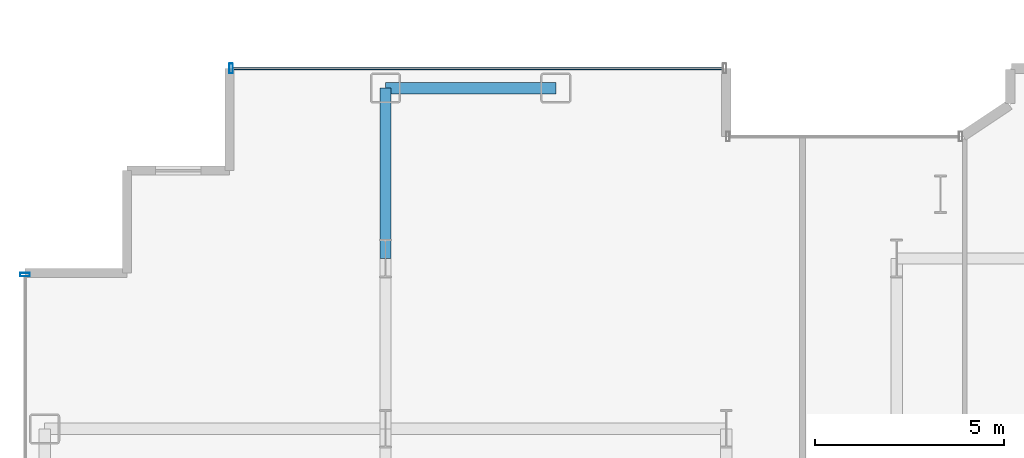
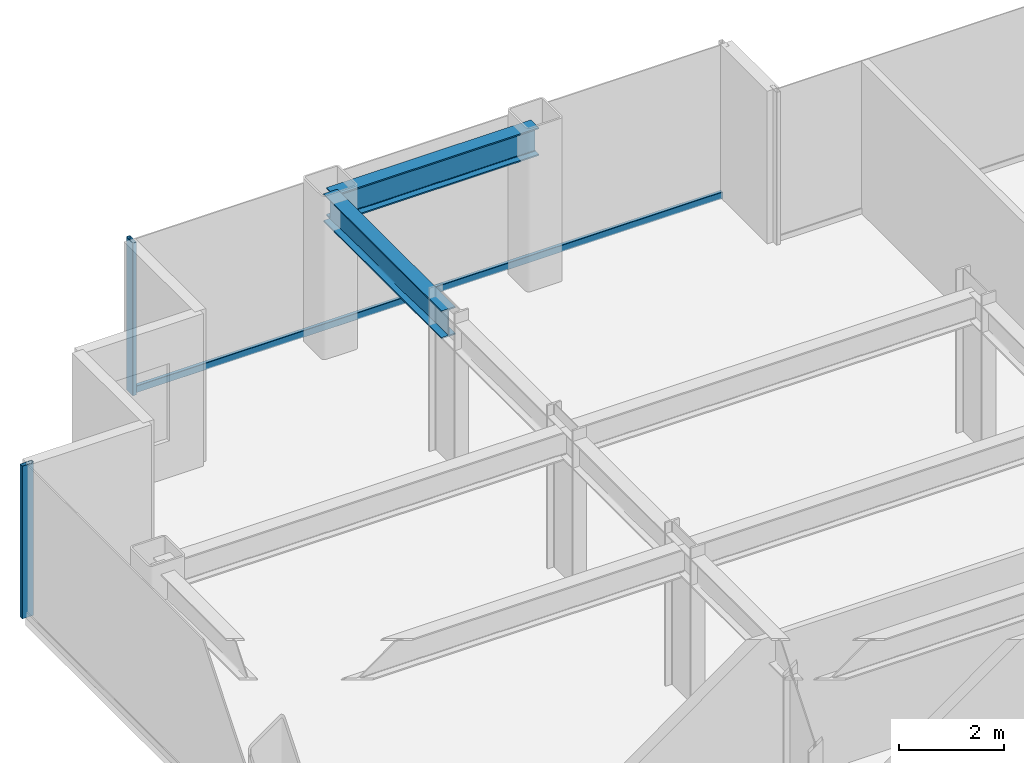
# One storey, part 9 of 26: 3 members, 2 beams, 2 elements without a shape of their own.
"""IFC4 building model written with IfcOpenShell, lengths in metres."""

from ifc_helpers import new_model, si_unit, direction, frame, origin, origin_2d, place, context, subcontext, project, spatial, hollow_rectangle, i_section, extrude, source, transform, mapped, material, layer, layer_set, material_profile, profile_set, type_object, element, aggregate, save


model = new_model("IFC4")

# Units and contexts
model_context = context("Model", 3, precision=1e-05, world=origin(), true_north=direction((0.0, 1.0)))
body_context = subcontext(model_context, "Body", "Model", "MODEL_VIEW")
ifc_project = project(units=[si_unit("LENGTHUNIT", "METRE"), si_unit("AREAUNIT", "SQUARE_METRE"), si_unit("VOLUMEUNIT", "CUBIC_METRE"), si_unit("PLANEANGLEUNIT", "RADIAN"), si_unit("MASSUNIT", "GRAM", prefix="KILO")], contexts=[model_context])

# Site, building, storey
site_placement = place(None, origin())
site = spatial("IfcSite", under=ifc_project, at=site_placement, CompositionType="ELEMENT")
building_placement = place(site_placement, origin())
building = spatial("IfcBuilding", under=site, at=building_placement, Name="Nefas-Gora Pilgrimage Tower", CompositionType="ELEMENT")
storey_placement = place(building_placement, frame((0.0, 0.0, 132.60009765625)))
storey = spatial("IfcBuildingStorey", under=building, at=storey_placement, Name="L32", CompositionType="ELEMENT", Elevation=132.60009765625)

# Beams
ifc_material_1 = material(Name="Steel S355", Category="steel")
ifc_material_profile_1 = material_profile(ifc_material_1, i_section(OverallWidth=0.300048828125, OverallDepth=0.64990234375, WebThickness=0.01611328125, FlangeThickness=0.031005859375, FilletRadius=0.027099609375, at=origin_2d()), Name="HEB 650")
ifc_profile_set_1 = profile_set([ifc_material_profile_1], Name="Steel S355")
beam_type_1 = type_object("IfcBeamType", Name="BM-SPN-HEB500", PredefinedType="SPANDREL", material=ifc_profile_set_1)
shared_shape_1 = source(origin(), body_context, "Body", "SweptSolid", [
    extrude(i_section(OverallWidth=0.300048828125, OverallDepth=0.64990234375, WebThickness=0.01611328125, FlangeThickness=0.031005859375, FilletRadius=0.027099609375, at=origin_2d()), origin(), (0.0, 0.0, 1.0), 4.5),
])
beam_1_placement = place(storey_placement, frame((-24.75, 22.5, 3.224853515625), z_axis=(1.0, 0.0, 0.0), x_axis=(0.0, 1.0, 0.0)))
element("IfcBeam", 1, at=beam_1_placement, inside=storey, type_object=beam_type_1, Name="L32 SP-02 beam", PredefinedType="SPANDREL", context=body_context, shape_type="MappedRepresentation", body=[
    mapped(shared_shape_1, transform((0.0, 0.0, 0.0), x_axis=(1.0, 0.0, 0.0), y_axis=(0.0, 1.0, 0.0), z_axis=(0.0, 0.0, 1.0), scale=1.0)),
])
ifc_material_profile_2 = material_profile(ifc_material_1, i_section(OverallWidth=0.300048828125, OverallDepth=0.64990234375, WebThickness=0.01611328125, FlangeThickness=0.031005859375, FilletRadius=0.027099609375, at=origin_2d()), Name="HEB 650")
ifc_profile_set_2 = profile_set([ifc_material_profile_2], Name="Steel S355")
beam_type_2 = type_object("IfcBeamType", Name="BM-GIR-HEB650", PredefinedType="BEAM", material=ifc_profile_set_2)
shared_shape_2 = source(origin(), body_context, "Body", "SweptSolid", [
    extrude(i_section(OverallWidth=0.300048828125, OverallDepth=0.64990234375, WebThickness=0.01611328125, FlangeThickness=0.031005859375, FilletRadius=0.027099609375, at=origin_2d()), origin(), (0.0, 0.0, 1.0), 4.5),
])
beam_2_placement = place(storey_placement, frame((-24.75, 18.0, 3.224853515625), z_axis=(0.0, 1.0, 0.0), x_axis=(-1.0, 0.0, 0.0)))
element("IfcBeam", 2, at=beam_2_placement, inside=storey, type_object=beam_type_2, Name="L32 G-03 beam", PredefinedType="BEAM", context=body_context, shape_type="MappedRepresentation", body=[
    mapped(shared_shape_2, transform((0.0, 0.0, 0.0), x_axis=(1.0, 0.0, 0.0), y_axis=(0.0, 1.0, 0.0), z_axis=(0.0, 0.0, 1.0), scale=1.0)),
])

# Curtain wall, members
ifc_material_2 = material(Name="Dark ceramic-fritted solar-control aluminium-glass curtain wall", Category="aluminium")
ifc_layer = layer(ifc_material_2, 0.219970703125)
ifc_layer_set = layer_set([ifc_layer], Name="Dark ceramic-fritted solar-control aluminium-glass curtain wall")
curtain_wall_type = type_object("IfcCurtainWallType", Name="CW-SYS-2", PredefinedType="NOTDEFINED", material=ifc_layer_set)
curtain_wall_1_placement = place(storey_placement, origin())
curtain_wall_1 = element("IfcCurtainWall", 3, at=curtain_wall_1_placement, inside=storey, type_object=curtain_wall_type, Name="L32 Unitised Curtain Wall CW2", PredefinedType="NOTDEFINED")
ifc_material_3 = material(Name="Anodised architectural aluminium", Category="aluminium")
ifc_material_profile_3 = material_profile(ifc_material_3, hollow_rectangle(XDim=0.080078125, YDim=0.159912109375, WallThickness=0.00439453125, InnerFilletRadius=0.00439453125, OuterFilletRadius=0.009033203125, at=origin_2d()), Name="ALU TRANSOM 80x160")
ifc_profile_set_3 = profile_set([ifc_material_profile_3], Name="Anodised architectural aluminium")
member_type_1 = type_object("IfcMemberType", Name="CWM-TRN-2", PredefinedType="USERDEFINED", material=ifc_profile_set_3)
shared_shape_3 = source(origin(), body_context, "Body", "SweptSolid", [
    extrude(hollow_rectangle(XDim=0.080078125, YDim=0.159912109375, WallThickness=0.00439453125, InnerFilletRadius=0.00439453125, OuterFilletRadius=0.009033203125, at=origin_2d()), origin(), (0.0, 0.0, 1.0), 12.93994140625),
])
member_1_placement = place(storey_placement, frame((-15.840087890625, 23.02001953125, 0.0498046875), z_axis=(-1.0, 0.0, 0.0), x_axis=(0.0, -1.0, 0.0)))
member_1 = element("IfcMember", 4, at=member_1_placement, type_object=member_type_1, Name="CW2 Spandrel Transom", ObjectType="TRANSOM", PredefinedType="USERDEFINED", context=body_context, shape_type="MappedRepresentation", body=[
    mapped(shared_shape_3, transform((0.0, 0.0, 0.0), x_axis=(1.0, 0.0, 0.0), y_axis=(0.0, 1.0, 0.0), z_axis=(0.0, 0.0, 1.0), scale=1.0)),
])
ifc_material_profile_4 = material_profile(ifc_material_3, hollow_rectangle(XDim=0.090087890625, YDim=0.260009765625, WallThickness=0.006103515625, InnerFilletRadius=0.006103515625, OuterFilletRadius=0.011962890625, at=origin_2d()), Name="ALU MULLION 90x260")
ifc_profile_set_4 = profile_set([ifc_material_profile_4], Name="Anodised architectural aluminium")
member_type_2 = type_object("IfcMemberType", Name="CWM-MUL-2", PredefinedType="MULLION", material=ifc_profile_set_4)
shared_shape_4 = source(origin(), body_context, "Body", "SweptSolid", [
    extrude(hollow_rectangle(XDim=0.090087890625, YDim=0.260009765625, WallThickness=0.006103515625, InnerFilletRadius=0.006103515625, OuterFilletRadius=0.011962890625, at=origin_2d()), origin(), (0.0, 0.0, 1.0), 3.5498046875),
])
member_2_placement = place(storey_placement, frame((-28.824951171875, 23.02001953125, 0.0), z_axis=(0.0, 0.0, 1.0), x_axis=(-1.0, 0.0, 0.0)))
member_2 = element("IfcMember", 5, at=member_2_placement, type_object=member_type_2, Name="CW2 Mullion 2", PredefinedType="MULLION", context=body_context, shape_type="MappedRepresentation", body=[
    mapped(shared_shape_4, transform((0.0, 0.0, 0.0), x_axis=(1.0, 0.0, 0.0), y_axis=(0.0, 1.0, 0.0), z_axis=(0.0, 0.0, 1.0), scale=1.0)),
])
aggregate(curtain_wall_1, [member_2, member_1])

# Curtain wall, member
curtain_wall_2_placement = place(storey_placement, origin())
curtain_wall_2 = element("IfcCurtainWall", 6, at=curtain_wall_2_placement, inside=storey, type_object=curtain_wall_type, Name="L32 Unitised Curtain Wall CW2", PredefinedType="NOTDEFINED")
member_3_placement = place(storey_placement, frame((-34.27001953125, 17.574951171875, 0.0), z_axis=(0.0, 0.0, 1.0), x_axis=(0.0, -1.0, 0.0)))
member_3 = element("IfcMember", 7, at=member_3_placement, type_object=member_type_2, Name="CW2 Mullion 1", PredefinedType="MULLION", context=body_context, shape_type="MappedRepresentation", body=[
    mapped(shared_shape_4, transform((0.0, 0.0, 0.0), x_axis=(1.0, 0.0, 0.0), y_axis=(0.0, 1.0, 0.0), z_axis=(0.0, 0.0, 1.0), scale=1.0)),
])
aggregate(curtain_wall_2, [member_3])

save(model, "model.ifc")
